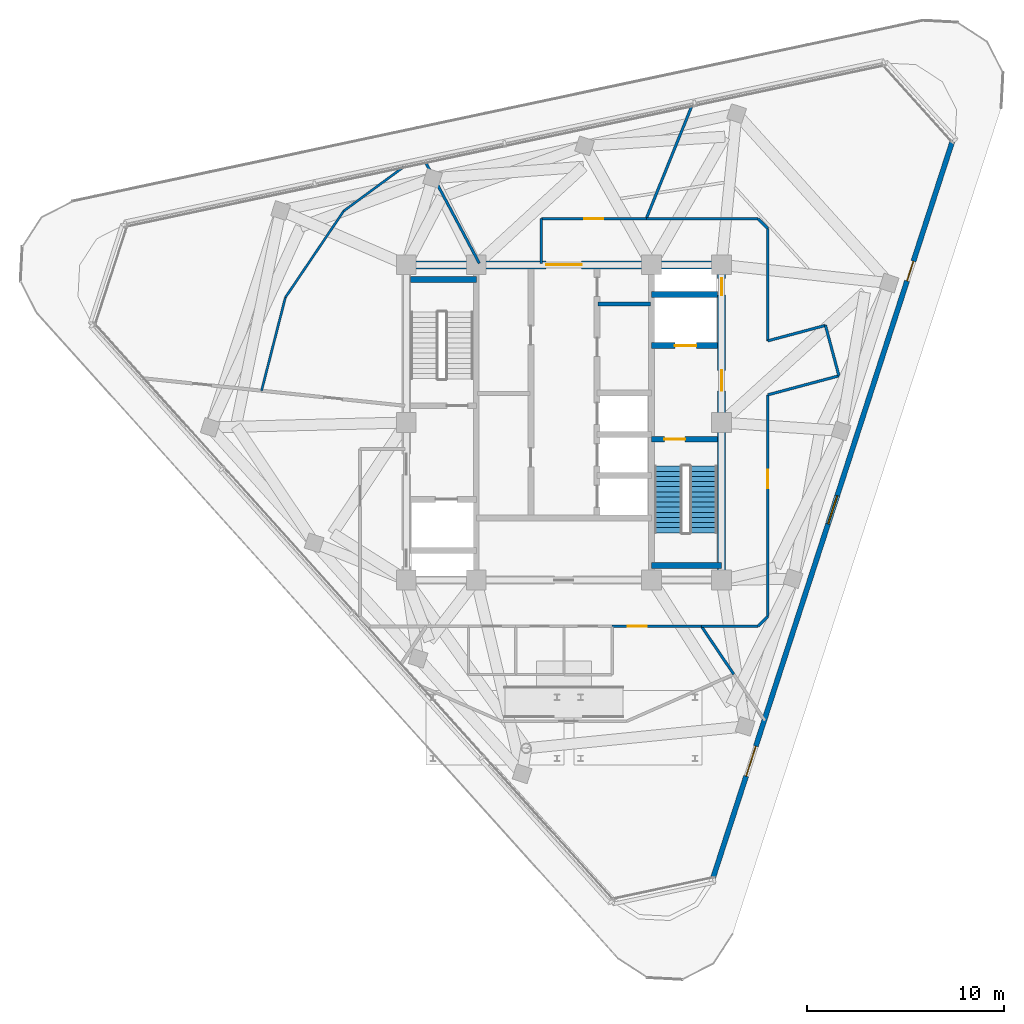
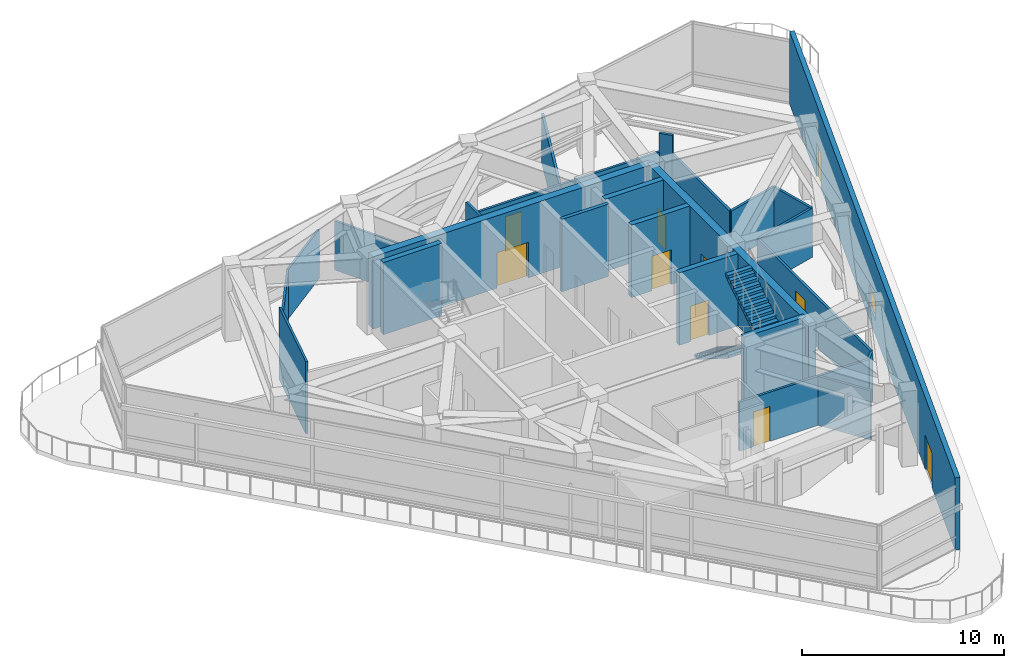
# One storey, part 10 of 15: 27 walls, 10 doors, 2 stair flights, 1 window, 11 openings, 1 element without a shape of its own.
"""IFC4 building model written with IfcOpenShell, lengths in metres."""

from ifc_helpers import new_model, si_unit, direction, frame, frame_2d, origin, place, context, subcontext, project, spatial, polyline, rectangle, outline, extrude, material, layer, layer_set, type_object, element, fill, aggregate, save


model = new_model("IFC4")

# Units and contexts
model_context = context("Model", 3, precision=1e-05, world=origin(), true_north=direction((0.0, 1.0)))
body_context = subcontext(model_context, "Body", "Model", "MODEL_VIEW")
ifc_project = project(units=[si_unit("LENGTHUNIT", "METRE"), si_unit("AREAUNIT", "SQUARE_METRE"), si_unit("VOLUMEUNIT", "CUBIC_METRE"), si_unit("PLANEANGLEUNIT", "RADIAN"), si_unit("MASSUNIT", "GRAM", prefix="KILO")], contexts=[model_context])

# Site, building, storey
site_placement = place(None, origin())
site = spatial("IfcSite", under=ifc_project, at=site_placement, CompositionType="ELEMENT")
building_placement = place(site_placement, origin())
building = spatial("IfcBuilding", under=site, at=building_placement, Name="Terralouvre Media Tower", CompositionType="ELEMENT")
storey_placement = place(building_placement, frame((0.0, 0.0, 312.800048828125)))
storey = spatial("IfcBuildingStorey", under=building, at=storey_placement, Name="L81", CompositionType="ELEMENT", Elevation=312.800048828125)

# Wall
ifc_material_1 = material(Name="Concrete C50/60", Category="concrete")
ifc_layer_1 = layer(ifc_material_1, 0.300048828125, Name="Core Internal Shaft Wall CW-300")
ifc_layer_set_1 = layer_set([ifc_layer_1], Name="Concrete C50/60")
wall_type_1 = type_object("IfcWallType", Name="Core Internal Shaft Wall CW-300", PredefinedType="SHEAR", material=ifc_layer_set_1)
wall_1_placement = place(storey_placement, frame((-7.7900390625, 7.260009765625, 0.0), z_axis=(0.0, 0.0, 1.0), x_axis=(1.0, 0.0, 0.0)))
element("IfcWall", 1, at=wall_1_placement, inside=storey, type_object=wall_type_1, Name="L81 Core Shaft Wall ST1F", PredefinedType="SHEAR", context=body_context, shape_type="SweptSolid", body=[
    extrude(rectangle(XDim=3.340087890625, YDim=0.300048828125, at=frame_2d((1.669921875, 0.0))), origin(), (0.0, 0.0, 1.0), 4.3798828125),
])

# Wall, opening, door
wall_2_placement = place(storey_placement, frame((4.449951171875, -0.85009765625, 0.0), z_axis=(0.0, 0.0, 1.0), x_axis=(1.0, 0.0, 0.0)))
wall_2 = element("IfcWall", 2, at=wall_2_placement, inside=storey, type_object=wall_type_1, Name="L81 Core Shaft Wall ST2D", PredefinedType="SHEAR", context=body_context, shape_type="SweptSolid", body=[
    extrude(rectangle(XDim=3.340087890625, YDim=0.300048828125, at=frame_2d((1.669921875, 0.0))), origin(), (0.0, 0.0, 1.0), 4.3798828125),
])
opening_1_placement = place(wall_2_placement, frame((0.64990234375, 0.0, 0.0)))
opening_1 = element("IfcOpeningElement", 3, at=opening_1_placement, cuts=wall_2, Name="Opening FD-01-105X215", PredefinedType="OPENING", context=body_context, shape_type="SweptSolid", body=[
    extrude(rectangle(XDim=1.050048828125, YDim=2.14990234375, at=frame_2d((0.52490234375, 1.074951171875))), frame((0.0, 0.159912109375, 0.0), z_axis=(0.0, -1.0, 0.0), x_axis=(1.0, 0.0, 0.0)), (0.0, 0.0, 1.0), 0.320068359375),
])
ifc_material_2 = material(Name="Galvanised steel fire-resisting leaf", Category="steel")
door_type_1 = type_object("IfcDoorType", Name="Stair and Firefighting Lobby Fire Door FD-01 (1050x2150)", OperationType="NOTDEFINED", PredefinedType="DOOR", material=ifc_material_2)
door_1_placement = place(opening_1_placement, origin())
door_1 = element("IfcDoor", 4, at=door_1_placement, inside=storey, type_object=door_type_1, Name="L81 ST-02 Exit Stair Door", OperationType="SINGLE_SWING_RIGHT", OverallHeight=2.14990234375, OverallWidth=1.050048828125, PredefinedType="DOOR", context=body_context, shape_type="SweptSolid", body=[
    extrude(rectangle(XDim=1.050048828125, YDim=2.14990234375, at=frame_2d((0.52490234375, 1.074951171875))), frame((0.0, 0.02490234375, 0.0), z_axis=(0.0, -1.0, 0.0), x_axis=(1.0, 0.0, 0.0)), (0.0, 0.0, 1.0), 0.050048828125),
])
fill(opening_1, door_1)

# Wall
wall_3_placement = place(storey_placement, frame((4.449951171875, -7.260009765625, 0.0), z_axis=(0.0, 0.0, 1.0), x_axis=(1.0, 0.0, 0.0)))
element("IfcWall", 5, at=wall_3_placement, inside=storey, type_object=wall_type_1, Name="L81 Core Shaft Wall ST2F", PredefinedType="SHEAR", context=body_context, shape_type="SweptSolid", body=[
    extrude(rectangle(XDim=3.550048828125, YDim=0.300048828125, at=frame_2d((1.77490234375, 0.0))), origin(), (0.0, 0.0, 1.0), 4.3798828125),
])

# Wall, opening, door
wall_4_placement = place(storey_placement, frame((4.449951171875, 3.89990234375, 0.0), z_axis=(0.0, 0.0, 1.0), x_axis=(1.0, 0.0, 0.0)))
wall_4 = element("IfcWall", 6, at=wall_4_placement, inside=storey, type_object=wall_type_1, Name="L81 Core Shaft Wall FF2S", PredefinedType="SHEAR", context=body_context, shape_type="SweptSolid", body=[
    extrude(rectangle(XDim=3.340087890625, YDim=0.300048828125, at=frame_2d((1.669921875, 0.0))), origin(), (0.0, 0.0, 1.0), 4.3798828125),
])
opening_2_placement = place(wall_4_placement, frame((1.179931640625, 0.0, 0.0)))
opening_2 = element("IfcOpeningElement", 7, at=opening_2_placement, cuts=wall_4, Name="Opening LD-FF", PredefinedType="OPENING", context=body_context, shape_type="SweptSolid", body=[
    extrude(rectangle(XDim=1.10009765625, YDim=2.10009765625, at=frame_2d((0.550048828125, 1.050048828125))), frame((0.0, 0.159912109375, 0.0), z_axis=(0.0, -1.0, 0.0), x_axis=(1.0, 0.0, 0.0)), (0.0, 0.0, 1.0), 0.320068359375),
])
ifc_material_3 = material(Name="Stainless steel 316 handrail and balustrade", Category="steel")
door_type_2 = type_object("IfcDoorType", Name="Firefighting Lift Sliding Landing Door LD-FF", OperationType="SLIDING_TO_LEFT", PredefinedType="DOOR", material=ifc_material_3)
door_2_placement = place(opening_2_placement, origin())
door_2 = element("IfcDoor", 8, at=door_2_placement, inside=storey, type_object=door_type_2, Name="L81 Firefighting Lift FFL-02 Landing Door", OperationType="SLIDING_TO_LEFT", OverallHeight=2.10009765625, OverallWidth=1.10009765625, PredefinedType="DOOR", context=body_context, shape_type="SweptSolid", body=[
    extrude(rectangle(XDim=1.10009765625, YDim=2.10009765625, at=frame_2d((0.550048828125, 1.050048828125))), frame((0.0, 0.02490234375, 0.0), z_axis=(0.0, -1.0, 0.0), x_axis=(1.0, 0.0, 0.0)), (0.0, 0.0, 1.0), 0.050048828125),
])
fill(opening_2, door_2)

# Wall
wall_5_placement = place(storey_placement, frame((4.449951171875, 6.5, 0.0), z_axis=(0.0, 0.0, 1.0), x_axis=(1.0, 0.0, 0.0)))
element("IfcWall", 9, at=wall_5_placement, inside=storey, type_object=wall_type_1, Name="L81 Core Shaft Wall FF2N", PredefinedType="SHEAR", context=body_context, shape_type="SweptSolid", body=[
    extrude(rectangle(XDim=3.340087890625, YDim=0.300048828125, at=frame_2d((1.669921875, 0.0))), origin(), (0.0, 0.0, 1.0), 4.3798828125),
])

# Wall, openings, doors
ifc_material_4 = material(Name="Concrete C60/75", Category="concrete")
ifc_layer_2 = layer(ifc_material_4, 0.419921875, Name="Core Reinforced Concrete Shear Wall CW-420")
ifc_layer_set_2 = layer_set([ifc_layer_2], Name="Concrete C60/75")
wall_type_2 = type_object("IfcWallType", Name="Core Reinforced Concrete Shear Wall CW-420", PredefinedType="SHEAR", material=ifc_layer_set_2)
wall_6_placement = place(storey_placement, frame((8.0, -8.0, 0.0), z_axis=(0.0, 0.0, 1.0), x_axis=(0.0, 1.0, 0.0)))
wall_6 = element("IfcWall", 10, at=wall_6_placement, inside=storey, type_object=wall_type_2, Name="L81 E Core Shear Wall", PredefinedType="SHEAR", context=body_context, shape_type="SweptSolid", body=[
    extrude(rectangle(XDim=16.0, YDim=0.419921875, at=frame_2d((8.0, 0.0))), origin(), (0.0, 0.0, 1.0), 4.3798828125),
])
opening_3_placement = place(wall_6_placement, frame((9.60009765625, 0.0, 0.0)))
opening_3 = element("IfcOpeningElement", 11, at=opening_3_placement, cuts=wall_6, Name="Opening FD-01-105X215", PredefinedType="OPENING", context=body_context, shape_type="SweptSolid", body=[
    extrude(rectangle(XDim=1.050048828125, YDim=2.14990234375, at=frame_2d((0.52490234375, 1.074951171875))), frame((0.0, 0.219970703125, 0.0), z_axis=(0.0, -1.0, 0.0), x_axis=(1.0, 0.0, 0.0)), (0.0, 0.0, 1.0), 0.43994140625),
])
opening_4_placement = place(wall_6_placement, frame((14.468994140625, 0.0, 0.0)))
opening_4 = element("IfcOpeningElement", 12, at=opening_4_placement, cuts=wall_6, Name="Opening TD-R1", PredefinedType="OPENING", context=body_context, shape_type="SweptSolid", body=[
    extrude(rectangle(XDim=0.85009765625, YDim=2.02001953125, at=frame_2d((0.425048828125, 1.010009765625))), frame((0.0, 0.219970703125, 0.0), z_axis=(0.0, -1.0, 0.0), x_axis=(1.0, 0.0, 0.0)), (0.0, 0.0, 1.0), 0.43994140625),
])
ifc_material_5 = material(Name="Galvanised steel fire-resisting leaf", Category="steel")
door_type_3 = type_object("IfcDoorType", Name="Riser Inspection Access Trapdoor TD-R1", OperationType="NOTDEFINED", PredefinedType="TRAPDOOR", material=ifc_material_5)
door_3_placement = place(opening_4_placement, origin())
door_3 = element("IfcDoor", 13, at=door_3_placement, inside=storey, type_object=door_type_3, Name="L81 East Comms Riser Access Trapdoor", OperationType="SINGLE_SWING_RIGHT", OverallHeight=2.02001953125, OverallWidth=0.85009765625, PredefinedType="TRAPDOOR", context=body_context, shape_type="SweptSolid", body=[
    extrude(rectangle(XDim=0.85009765625, YDim=2.02001953125, at=frame_2d((0.425048828125, 1.010009765625))), frame((0.0, 0.02490234375, 0.0), z_axis=(0.0, -1.0, 0.0), x_axis=(1.0, 0.0, 0.0)), (0.0, 0.0, 1.0), 0.050048828125),
])
fill(opening_4, door_3)
door_4_placement = place(opening_3_placement, origin())
door_4 = element("IfcDoor", 14, at=door_4_placement, inside=storey, type_object=door_type_1, Name="L81 East Firefighting Lobby Entry Door", OperationType="SINGLE_SWING_LEFT", OverallHeight=2.14990234375, OverallWidth=1.050048828125, PredefinedType="DOOR", context=body_context, shape_type="SweptSolid", body=[
    extrude(rectangle(XDim=1.050048828125, YDim=2.14990234375, at=frame_2d((0.52490234375, 1.074951171875))), frame((0.0, 0.02490234375, 0.0), z_axis=(0.0, -1.0, 0.0), x_axis=(1.0, 0.0, 0.0)), (0.0, 0.0, 1.0), 0.050048828125),
])
fill(opening_3, door_4)

# Wall, opening, door
wall_7_placement = place(storey_placement, frame((-8.0, 8.0, 0.0), z_axis=(0.0, 0.0, 1.0), x_axis=(1.0, 0.0, 0.0)))
wall_7 = element("IfcWall", 15, at=wall_7_placement, inside=storey, type_object=wall_type_2, Name="L81 N Core Shear Wall", PredefinedType="SHEAR", context=body_context, shape_type="SweptSolid", body=[
    extrude(rectangle(XDim=16.0, YDim=0.419921875, at=frame_2d((8.0, 0.0))), origin(), (0.0, 0.0, 1.0), 4.3798828125),
])
opening_5_placement = place(wall_7_placement, frame((7.10009765625, 0.0, 0.0)))
opening_5 = element("IfcOpeningElement", 16, at=opening_5_placement, cuts=wall_7, Name="Opening FD-03", PredefinedType="OPENING", context=body_context, shape_type="SweptSolid", body=[
    extrude(rectangle(XDim=1.800048828125, YDim=2.14990234375, at=frame_2d((0.89990234375, 1.074951171875))), frame((0.0, 0.219970703125, 0.0), z_axis=(0.0, -1.0, 0.0), x_axis=(1.0, 0.0, 0.0)), (0.0, 0.0, 1.0), 0.43994140625),
])
ifc_material_6 = material(Name="Galvanised steel fire-resisting leaf", Category="steel")
door_type_4 = type_object("IfcDoorType", Name="Corridor Smoke-Control Double Door FD-03", OperationType="DOUBLE_DOOR_SINGLE_SWING", PredefinedType="DOOR", material=ifc_material_6)
door_5_placement = place(opening_5_placement, origin())
door_5 = element("IfcDoor", 17, at=door_5_placement, inside=storey, type_object=door_type_4, Name="L81 Central Lift Lobby Portal Door", OperationType="DOUBLE_DOOR_SINGLE_SWING", OverallHeight=2.14990234375, OverallWidth=1.800048828125, PredefinedType="DOOR", context=body_context, shape_type="SweptSolid", body=[
    extrude(rectangle(XDim=1.800048828125, YDim=2.14990234375, at=frame_2d((0.89990234375, 1.074951171875))), frame((0.0, 0.02490234375, 0.0), z_axis=(0.0, -1.0, 0.0), x_axis=(1.0, 0.0, 0.0)), (0.0, 0.0, 1.0), 0.050048828125),
])
fill(opening_5, door_5)

# Walls
ifc_material_7 = material(Name="Fire-rated gypsum board drywall partition")
ifc_layer_3 = layer(ifc_material_7, 0.199951171875, Name="Fire-Rated Shaft and Lobby Partition FW-200")
ifc_layer_set_3 = layer_set([ifc_layer_3], Name="Fire-rated gypsum board drywall partition")
wall_type_3 = type_object("IfcWallType", Name="Fire-Rated Shaft and Lobby Partition FW-200", PredefinedType="SOLIDWALL", material=ifc_layer_set_3)
wall_8_placement = place(storey_placement, frame((1.719970703125, 6.010009765625, 0.0), z_axis=(0.0, 0.0, 1.0), x_axis=(1.0, 0.0, 0.0)))
element("IfcWall", 18, at=wall_8_placement, inside=storey, type_object=wall_type_3, Name="L81 Core East Sub-Partition 1", PredefinedType="SOLIDWALL", context=body_context, shape_type="SweptSolid", body=[
    extrude(rectangle(XDim=2.679931640625, YDim=0.199951171875, at=frame_2d((1.33984375, 0.0))), origin(), (0.0, 0.0, 1.0), 4.3798828125),
])
ifc_material_8 = material(Name="Fire-rated gypsum board drywall partition")
ifc_layer_4 = layer(ifc_material_8, 0.135009765625, Name="Newsroom Acoustic Partition PT-135")
ifc_layer_set_4 = layer_set([ifc_layer_4], Name="Fire-rated gypsum board drywall partition")
wall_type_4 = type_object("IfcWallType", Name="Newsroom Acoustic Partition PT-135", PredefinedType="PARTITIONING", material=ifc_layer_set_4)
wall_9_placement = place(storey_placement, frame((6.98095703125, -10.35009765625, 0.0), z_axis=(0.0, 0.0, 1.0), x_axis=(1.0, 0.0, 0.0)))
element("IfcWall", 19, at=wall_9_placement, inside=storey, type_object=wall_type_4, Name="L81 Interior Partition 001", PredefinedType="PARTITIONING", context=body_context, shape_type="SweptSolid", body=[
    extrude(rectangle(XDim=2.869140625, YDim=0.135009765625, at=frame_2d((1.4345703125, 0.0))), origin(), (0.0, 0.0, 1.0), 2.96484375),
])
wall_10_placement = place(storey_placement, frame((9.85009765625, -10.35009765625, 0.0), z_axis=(0.0, 0.0, 1.0), x_axis=(0.707106781187, 0.707106781187, 0.0)))
element("IfcWall", 20, at=wall_10_placement, inside=storey, type_object=wall_type_4, Name="L81 Interior Partition 002", PredefinedType="PARTITIONING", context=body_context, shape_type="SweptSolid", body=[
    extrude(rectangle(XDim=0.70703125, YDim=0.135009765625, at=frame_2d((0.353515625, 0.0))), origin(), (0.0, 0.0, 1.0), 2.96484375),
])

# Wall, opening, door
wall_11_placement = place(storey_placement, frame((10.35009765625, -9.85009765625, 0.0), z_axis=(0.0, 0.0, 1.0), x_axis=(0.0, 1.0, 0.0)))
wall_11 = element("IfcWall", 21, at=wall_11_placement, inside=storey, type_object=wall_type_4, Name="L81 Interior Partition 003", PredefinedType="PARTITIONING", context=body_context, shape_type="SweptSolid", body=[
    extrude(rectangle(XDim=11.252197265625, YDim=0.135009765625, at=frame_2d((5.6259765625, 0.0))), origin(), (0.0, 0.0, 1.0), 2.96484375),
])
opening_6_placement = place(wall_11_placement, frame((6.501220703125, 0.0, 0.0)))
opening_6 = element("IfcOpeningElement", 22, at=opening_6_placement, cuts=wall_11, Name="Opening ID-02-95X210", PredefinedType="OPENING", context=body_context, shape_type="SweptSolid", body=[
    extrude(rectangle(XDim=0.949951171875, YDim=2.10009765625, at=frame_2d((0.47509765625, 1.050048828125))), frame((0.0, 0.077392578125, 0.0), z_axis=(0.0, -1.0, 0.0), x_axis=(1.0, 0.0, 0.0)), (0.0, 0.0, 1.0), 0.155029296875),
])
ifc_material_9 = material(Name="Engineered hardwood acoustic timber leaf", Category="wood")
door_type_5 = type_object("IfcDoorType", Name="Office and Meeting Room Door ID-02 (950x2100)", OperationType="NOTDEFINED", PredefinedType="DOOR", material=ifc_material_9)
door_6_placement = place(opening_6_placement, origin())
door_6 = element("IfcDoor", 23, at=door_6_placement, inside=storey, type_object=door_type_5, Name="L81 Horticultural Propagator Store 1 Door", OperationType="SINGLE_SWING_RIGHT", OverallHeight=2.10009765625, OverallWidth=0.949951171875, PredefinedType="DOOR", context=body_context, shape_type="SweptSolid", body=[
    extrude(rectangle(XDim=0.949951171875, YDim=2.10009765625, at=frame_2d((0.47509765625, 1.050048828125))), frame((0.0, 0.02490234375, 0.0), z_axis=(0.0, -1.0, 0.0), x_axis=(1.0, 0.0, 0.0)), (0.0, 0.0, 1.0), 0.050048828125),
])
fill(opening_6, door_6)

# Walls
wall_12_placement = place(storey_placement, frame((10.35009765625, 1.402099609375, 0.0), z_axis=(0.0, 0.0, 1.0), x_axis=(0.965991749832, 0.25857288964, 0.0)))
element("IfcWall", 24, at=wall_12_placement, inside=storey, type_object=wall_type_4, Name="L81 Interior Partition 004", PredefinedType="PARTITIONING", context=body_context, shape_type="SweptSolid", body=[
    extrude(rectangle(XDim=3.739013671875, YDim=0.135009765625, at=frame_2d((1.86962890625, 0.0))), origin(), (0.0, 0.0, 1.0), 2.96484375),
])
wall_13_placement = place(storey_placement, frame((13.9619140625, 2.368896484375, 0.0), z_axis=(0.0, 0.0, 1.0), x_axis=(-0.258413725385, 0.966034340245, 0.0)))
element("IfcWall", 25, at=wall_13_placement, inside=storey, type_object=wall_type_4, Name="L81 Interior Partition 005", PredefinedType="PARTITIONING", context=body_context, shape_type="SweptSolid", body=[
    extrude(rectangle(XDim=2.650146484375, YDim=0.135009765625, at=frame_2d((1.3251953125, 0.0))), origin(), (0.0, 0.0, 1.0), 2.96484375),
])
wall_14_placement = place(storey_placement, frame((13.277099609375, 4.928955078125, 0.0), z_axis=(0.0, 0.0, 1.0), x_axis=(-0.965954883204, -0.258710578861, 0.0)))
element("IfcWall", 26, at=wall_14_placement, inside=storey, type_object=wall_type_4, Name="L81 Interior Partition 006", PredefinedType="PARTITIONING", context=body_context, shape_type="SweptSolid", body=[
    extrude(rectangle(XDim=3.0302734375, YDim=0.135009765625, at=frame_2d((1.51513671875, 0.0))), origin(), (0.0, 0.0, 1.0), 2.96484375),
])
wall_15_placement = place(storey_placement, frame((10.35009765625, 4.14501953125, 0.0), z_axis=(0.0, 0.0, 1.0), x_axis=(0.0, 1.0, 0.0)))
element("IfcWall", 27, at=wall_15_placement, inside=storey, type_object=wall_type_4, Name="L81 Interior Partition 007", PredefinedType="PARTITIONING", context=body_context, shape_type="SweptSolid", body=[
    extrude(rectangle(XDim=5.705078125, YDim=0.135009765625, at=frame_2d((2.8525390625, 0.0))), origin(), (0.0, 0.0, 1.0), 2.96484375),
])
wall_16_placement = place(storey_placement, frame((10.35009765625, 9.85009765625, 0.0), z_axis=(0.0, 0.0, 1.0), x_axis=(-0.707106781187, 0.707106781187, 0.0)))
element("IfcWall", 28, at=wall_16_placement, inside=storey, type_object=wall_type_4, Name="L81 Interior Partition 008", PredefinedType="PARTITIONING", context=body_context, shape_type="SweptSolid", body=[
    extrude(rectangle(XDim=0.70703125, YDim=0.135009765625, at=frame_2d((0.353515625, 0.0))), origin(), (0.0, 0.0, 1.0), 4.094970703125),
])
wall_17_placement = place(storey_placement, frame((9.85009765625, 10.35009765625, 0.0), z_axis=(0.0, 0.0, 1.0), x_axis=(-1.0, 0.0, 0.0)))
element("IfcWall", 29, at=wall_17_placement, inside=storey, type_object=wall_type_4, Name="L81 Interior Partition 009", PredefinedType="PARTITIONING", context=body_context, shape_type="SweptSolid", body=[
    extrude(rectangle(XDim=5.668212890625, YDim=0.135009765625, at=frame_2d((2.833984375, 0.0))), origin(), (0.0, 0.0, 1.0), 2.96484375),
])

# Wall, opening, door
wall_18_placement = place(storey_placement, frame((2.449951171875, -10.35009765625, 0.0), z_axis=(0.0, 0.0, 1.0), x_axis=(1.0, 0.0, 0.0)))
wall_18 = element("IfcWall", 30, at=wall_18_placement, inside=storey, type_object=wall_type_4, Name="L81 Interior Partition 017", PredefinedType="PARTITIONING", context=body_context, shape_type="SweptSolid", body=[
    extrude(rectangle(XDim=4.531005859375, YDim=0.135009765625, at=frame_2d((2.265625, 0.0))), origin(), (0.0, 0.0, 1.0), 2.96484375),
])
opening_7_placement = place(wall_18_placement, frame((0.793701171875, 0.0, 0.0)))
opening_7 = element("IfcOpeningElement", 31, at=opening_7_placement, cuts=wall_18, Name="Opening ID-02-95X210", PredefinedType="OPENING", context=body_context, shape_type="SweptSolid", body=[
    extrude(rectangle(XDim=0.949951171875, YDim=2.10009765625, at=frame_2d((0.47509765625, 1.050048828125))), frame((0.0, 0.077392578125, 0.0), z_axis=(0.0, -1.0, 0.0), x_axis=(1.0, 0.0, 0.0)), (0.0, 0.0, 1.0), 0.155029296875),
])
door_7_placement = place(opening_7_placement, origin())
door_7 = element("IfcDoor", 32, at=door_7_placement, inside=storey, type_object=door_type_5, Name="L81 High-Altitude Meteorology Study 3 Door", OperationType="SINGLE_SWING_RIGHT", OverallHeight=2.10009765625, OverallWidth=0.949951171875, PredefinedType="DOOR", context=body_context, shape_type="SweptSolid", body=[
    extrude(rectangle(XDim=0.949951171875, YDim=2.10009765625, at=frame_2d((0.47509765625, 1.050048828125))), frame((0.0, 0.02490234375, 0.0), z_axis=(0.0, -1.0, 0.0), x_axis=(1.0, 0.0, 0.0)), (0.0, 0.0, 1.0), 0.050048828125),
])
fill(opening_7, door_7)

wall_19_placement = place(storey_placement, frame((4.181884765625, 10.35009765625, 0.0), z_axis=(0.0, 0.0, 1.0), x_axis=(-1.0, 0.0, 0.0)))
wall_19 = element("IfcWall", 33, at=wall_19_placement, inside=storey, type_object=wall_type_4, Name="L81 Interior Partition 019", PredefinedType="PARTITIONING", context=body_context, shape_type="SweptSolid", body=[
    extrude(rectangle(XDim=5.331787109375, YDim=0.135009765625, at=frame_2d((2.666015625, 0.0))), origin(), (0.0, 0.0, 1.0), 2.96484375),
])
opening_8_placement = place(wall_19_placement, frame((2.19091796875, 0.0, 0.0)))
opening_8 = element("IfcOpeningElement", 34, at=opening_8_placement, cuts=wall_19, Name="Opening ID-02-95X210", PredefinedType="OPENING", context=body_context, shape_type="SweptSolid", body=[
    extrude(rectangle(XDim=0.949951171875, YDim=2.10009765625, at=frame_2d((0.47509765625, 1.050048828125))), frame((0.0, 0.077392578125, 0.0), z_axis=(0.0, -1.0, 0.0), x_axis=(1.0, 0.0, 0.0)), (0.0, 0.0, 1.0), 0.155029296875),
])
door_8_placement = place(opening_8_placement, origin())
door_8 = element("IfcDoor", 35, at=door_8_placement, inside=storey, type_object=door_type_5, Name="L81 360-Degree Horizon Observation Lounge 5 Door", OperationType="SINGLE_SWING_RIGHT", OverallHeight=2.10009765625, OverallWidth=0.949951171875, PredefinedType="DOOR", context=body_context, shape_type="SweptSolid", body=[
    extrude(rectangle(XDim=0.949951171875, YDim=2.10009765625, at=frame_2d((0.47509765625, 1.050048828125))), frame((0.0, 0.02490234375, 0.0), z_axis=(0.0, -1.0, 0.0), x_axis=(1.0, 0.0, 0.0)), (0.0, 0.0, 1.0), 0.050048828125),
])
fill(opening_8, door_8)

# Walls
wall_20_placement = place(storey_placement, frame((-1.14990234375, 10.35009765625, 0.0), z_axis=(0.0, 0.0, 1.0), x_axis=(0.0, -1.0, 0.0)))
element("IfcWall", 36, at=wall_20_placement, inside=storey, type_object=wall_type_4, Name="L81 Interior Partition 020", PredefinedType="PARTITIONING", context=body_context, shape_type="SweptSolid", body=[
    extrude(rectangle(XDim=2.27001953125, YDim=0.135009765625, at=frame_2d((1.135009765625, 0.0))), origin(), (0.0, 0.0, 1.0), 3.764892578125),
])
wall_21_placement = place(storey_placement, frame((6.98095703125, -10.35009765625, 0.0), z_axis=(0.0, 0.0, 1.0), x_axis=(0.559297178997, -0.828967228282, 0.0)))
element("IfcWall", 37, at=wall_21_placement, inside=storey, type_object=wall_type_4, Name="L81 Interior Partition 021", PredefinedType="PARTITIONING", context=body_context, shape_type="SweptSolid", body=[
    extrude(rectangle(XDim=2.93603515625, YDim=0.135009765625, at=frame_2d((1.468017578125, 0.0))), origin(), (0.0, 0.0, 1.0), 2.96484375),
])
wall_22_placement = place(storey_placement, frame((6.5, 16.08837890625, 0.0), z_axis=(0.0, 0.0, 1.0), x_axis=(-0.374564798487, -0.927200739719, 0.0)))
element("IfcWall", 38, at=wall_22_placement, inside=storey, type_object=wall_type_4, Name="L81 Interior Partition 023", PredefinedType="PARTITIONING", context=body_context, shape_type="SweptSolid", body=[
    extrude(rectangle(XDim=6.188720703125, YDim=0.135009765625, at=frame_2d((3.09423828125, 0.0))), origin(), (0.0, 0.0, 1.0), 2.96484375),
])
wall_23_placement = place(storey_placement, frame((-7.025390625, 13.21337890625, 0.0), z_axis=(0.0, 0.0, 1.0), x_axis=(0.469480647091, -0.882942762588, 0.0)))
element("IfcWall", 39, at=wall_23_placement, inside=storey, type_object=wall_type_4, Name="L81 Interior Partition 037", PredefinedType="PARTITIONING", context=body_context, shape_type="SweptSolid", body=[
    extrude(rectangle(XDim=5.81396484375, YDim=0.135009765625, at=frame_2d((2.906982421875, 0.0))), origin(), (0.0, 0.0, 1.0), 2.96484375),
])

# Wall, openings, window, doors
ifc_material_10 = material(Name="Kiln-fired architectural terracotta rainscreen cladding", Category="masonry")
ifc_layer_5 = layer(ifc_material_10, 0.260009765625, Name="Recessed Sky-Garden Acoustic Wall EW-SG260")
ifc_layer_set_5 = layer_set([ifc_layer_5], Name="Kiln-fired architectural terracotta rainscreen cladding")
wall_type_5 = type_object("IfcWallType", Name="Recessed Sky-Garden Acoustic Wall EW-SG260", PredefinedType="SOLIDWALL", material=ifc_layer_set_5)
wall_24_placement = place(storey_placement, frame((7.54931640625, -23.187744140625, 0.0), z_axis=(0.0, 0.0, 1.0), x_axis=(0.309020705392, 0.951055310505, 0.0)))
wall_24 = element("IfcWall", 40, at=wall_24_placement, inside=storey, type_object=wall_type_5, Name="L81 Conservatory Terrace Access Wall", PredefinedType="SOLIDWALL", context=body_context, shape_type="SweptSolid", body=[
    extrude(rectangle(XDim=39.43994140625, YDim=0.260009765625, at=frame_2d((19.719970703125, 0.0))), origin(), (0.0, 0.0, 1.0), 4.3798828125),
])
opening_9_placement = place(wall_24_placement, frame((5.5, 0.0, 0.0)))
opening_9 = element("IfcOpeningElement", 41, at=opening_9_placement, cuts=wall_24, Name="Opening TD-01-160X210", PredefinedType="OPENING", context=body_context, shape_type="SweptSolid", body=[
    extrude(rectangle(XDim=1.60009765625, YDim=2.10009765625, at=frame_2d((0.800048828125, 1.050048828125))), frame((0.0, 0.139892578125, 0.0), z_axis=(0.0, -1.0, 0.0), x_axis=(1.0, 0.0, 0.0)), (0.0, 0.0, 1.0), 0.280029296875),
])
opening_10_placement = place(wall_24_placement, frame((31.93994140625, 0.0, 0.0)))
opening_10 = element("IfcOpeningElement", 42, at=opening_10_placement, cuts=wall_24, Name="Opening TD-02", PredefinedType="OPENING", context=body_context, shape_type="SweptSolid", body=[
    extrude(rectangle(XDim=1.050048828125, YDim=2.080078125, at=frame_2d((0.52490234375, 1.0400390625))), frame((0.0, 0.139892578125, 0.0), z_axis=(0.0, -1.0, 0.0), x_axis=(1.0, 0.0, 0.0)), (0.0, 0.0, 1.0), 0.280029296875),
])
opening_11_placement = place(wall_24_placement, frame((18.969970703125, 0.0, 0.89990234375)))
opening_11 = element("IfcOpeningElement", 43, at=opening_11_placement, cuts=wall_24, Name="Opening W-05", PredefinedType="OPENING", context=body_context, shape_type="SweptSolid", body=[
    extrude(rectangle(XDim=1.5, YDim=1.199951171875, at=frame_2d((0.75, 0.60009765625))), frame((0.0, 0.139892578125, 0.0), z_axis=(0.0, -1.0, 0.0), x_axis=(1.0, 0.0, 0.0)), (0.0, 0.0, 1.0), 0.280029296875),
])
ifc_material_11 = material(Name="Low-iron laminated double glazing with solar-control coating", Category="glass")
window_type = type_object("IfcWindowType", Name="Conservatory Clerestory Window W-05", PartitioningType="SINGLE_PANEL", PredefinedType="WINDOW", material=ifc_material_11)
window_placement = place(opening_11_placement, origin())
window = element("IfcWindow", 44, at=window_placement, inside=storey, type_object=window_type, Name="L81 Conservatory Clerestory Window", OverallHeight=1.199951171875, OverallWidth=1.5, PartitioningType="SINGLE_PANEL", PredefinedType="WINDOW", context=body_context, shape_type="SweptSolid", body=[
    extrude(rectangle(XDim=1.5, YDim=1.199951171875, at=frame_2d((0.75, 0.60009765625))), frame((0.0, 0.030029296875, 0.0), z_axis=(0.0, -1.0, 0.0), x_axis=(1.0, 0.0, 0.0)), (0.0, 0.0, 1.0), 0.06005859375),
])
fill(opening_11, window)
ifc_material_12 = material(Name="Anodised extruded aluminium 6063-T6", Category="aluminium")
door_type_6 = type_object("IfcDoorType", Name="Garden Terrace Single Door TD-02", OperationType="NOTDEFINED", PredefinedType="DOOR", material=ifc_material_12)
door_9_placement = place(opening_10_placement, frame((1.050048828125, 0.0, 0.0), z_axis=(0.0, 0.0, 1.0), x_axis=(-1.0, 0.0, 0.0)))
door_9 = element("IfcDoor", 45, at=door_9_placement, inside=storey, type_object=door_type_6, Name="L81 Crown Roof Garden Single Door", OperationType="SINGLE_SWING_LEFT", OverallHeight=2.080078125, OverallWidth=1.050048828125, PredefinedType="DOOR", context=body_context, shape_type="SweptSolid", body=[
    extrude(rectangle(XDim=1.050048828125, YDim=2.080078125, at=frame_2d((0.52490234375, 1.0400390625))), frame((0.0, 0.02490234375, 0.0), z_axis=(0.0, -1.0, 0.0), x_axis=(1.0, 0.0, 0.0)), (0.0, 0.0, 1.0), 0.050048828125),
])
fill(opening_10, door_9)
ifc_material_13 = material(Name="Anodised extruded aluminium 6063-T6", Category="aluminium")
door_type_7 = type_object("IfcDoorType", Name="Sky-Garden Terrace Double Door TD-01 (1600x2100)", OperationType="DOUBLE_DOOR_SLIDING", PredefinedType="DOOR", material=ifc_material_13)
door_10_placement = place(opening_9_placement, frame((1.60009765625, 0.0, 0.0), z_axis=(0.0, 0.0, 1.0), x_axis=(-1.0, 0.0, 0.0)))
door_10 = element("IfcDoor", 46, at=door_10_placement, inside=storey, type_object=door_type_7, Name="L81 Crown Roof Garden Double Door", OperationType="DOUBLE_DOOR_SLIDING", OverallHeight=2.10009765625, OverallWidth=1.60009765625, PredefinedType="DOOR", context=body_context, shape_type="SweptSolid", body=[
    extrude(rectangle(XDim=1.60009765625, YDim=2.10009765625, at=frame_2d((0.800048828125, 1.050048828125))), frame((0.0, 0.02490234375, 0.0), z_axis=(0.0, -1.0, 0.0), x_axis=(1.0, 0.0, 0.0)), (0.0, 0.0, 1.0), 0.050048828125),
])
fill(opening_9, door_10)

# Walls
ifc_material_14 = material(Name="Fire-rated gypsum board drywall partition")
ifc_layer_6 = layer(ifc_material_14, 0.114990234375, Name="Restroom and Pantry Partition PT-115")
ifc_layer_set_6 = layer_set([ifc_layer_6], Name="Fire-rated gypsum board drywall partition")
wall_type_6 = type_object("IfcWallType", Name="Restroom and Pantry Partition PT-115", PredefinedType="PARTITIONING", material=ifc_layer_set_6)
wall_25_placement = place(storey_placement, frame((-8.12939453125, 12.978759765625, 0.0), z_axis=(0.0, 0.0, 1.0), x_axis=(-0.805664584516, -0.592371992296, 0.0)))
element("IfcWall", 47, at=wall_25_placement, inside=storey, type_object=wall_type_6, Name="L81 Interior Partition 038", PredefinedType="PARTITIONING", context=body_context, shape_type="SweptSolid", body=[
    extrude(rectangle(XDim=3.78759765625, YDim=0.114990234375, at=frame_2d((1.893798828125, 0.0))), origin(), (0.0, 0.0, 1.0), 2.96484375),
])
wall_26_placement = place(storey_placement, frame((-11.180908203125, 10.735107421875, 0.0), z_axis=(0.0, 0.0, 1.0), x_axis=(-0.559278021867, -0.828980153114, 0.0)))
element("IfcWall", 48, at=wall_26_placement, inside=storey, type_object=wall_type_6, Name="L81 Interior Partition 039", PredefinedType="PARTITIONING", context=body_context, shape_type="SweptSolid", body=[
    extrude(rectangle(XDim=5.294677734375, YDim=0.114990234375, at=frame_2d((2.6474609375, 0.0))), origin(), (0.0, 0.0, 1.0), 2.96484375),
])
wall_27_placement = place(storey_placement, frame((-14.14208984375, 6.345947265625, 0.0), z_axis=(0.0, 0.0, 1.0), x_axis=(-0.247495053411, -0.968889156992, 0.0)))
element("IfcWall", 49, at=wall_27_placement, inside=storey, type_object=wall_type_6, Name="L81 Interior Partition 040", PredefinedType="PARTITIONING", context=body_context, shape_type="SweptSolid", body=[
    extrude(rectangle(XDim=4.884765625, YDim=0.114990234375, at=frame_2d((2.4423828125, 0.0))), origin(), (0.0, 0.0, 1.0), 4.3798828125),
])

# Stair, stair flights
ifc_material_15 = material(Name="Concrete C45/55", Category="concrete")
stair_type = type_object("IfcStairType", Name="Dogleg Stair Assembly ST-02", PredefinedType="HALF_TURN_STAIR", material=ifc_material_15)
stair_placement = place(storey_placement, origin())
stair = element("IfcStair", 50, at=stair_placement, inside=storey, type_object=stair_type, Name="L81 Core Pressurised Exit Stair ST-02", PredefinedType="HALF_TURN_STAIR")
ifc_material_16 = material(Name="Concrete C45/55", Category="concrete")
stair_flight_type = type_object("IfcStairFlightType", Name="Reinforced Concrete Stair Flight SF-RC1", PredefinedType="STRAIGHT", material=ifc_material_16)
stair_flight_1_placement = place(storey_placement, frame((5.300048828125, -2.219970703125, 0.0), z_axis=(0.0, 0.0, 1.0), x_axis=(0.0, -1.0, 0.0)))
stair_flight_1 = element("IfcStairFlight", 51, at=stair_flight_1_placement, type_object=stair_flight_type, Name="ST-02 flight 1", NumberOfRisers=14, NumberOfTreads=13, PredefinedType="STRAIGHT", RiserHeight=0.164285714, TreadLength=0.26, context=body_context, shape_type="SweptSolid", body=[
    extrude(outline(polyline([(0.0, 0.0), (0.0, 0.164306640625), (0.260009765625, 0.164306640625), (0.260009765625, 0.32861328125), (0.52001953125, 0.32861328125), (0.52001953125, 0.492919921875), (0.780029296875, 0.492919921875), (0.780029296875, 0.6572265625), (1.0400390625, 0.6572265625), (1.0400390625, 0.821533203125), (1.300048828125, 0.821533203125), (1.300048828125, 0.985595703125), (1.56005859375, 0.985595703125), (1.56005859375, 1.14990234375), (1.820068359375, 1.14990234375), (1.820068359375, 1.314208984375), (2.080078125, 1.314208984375), (2.080078125, 1.478515625), (2.340087890625, 1.478515625), (2.340087890625, 1.642822265625), (2.60009765625, 1.642822265625), (2.60009765625, 1.80712890625), (2.860107421875, 1.80712890625), (2.860107421875, 1.971435546875), (3.1201171875, 1.971435546875), (3.1201171875, 2.1357421875), (3.3798828125, 2.1357421875), (3.3798828125, 2.300048828125), (3.3798828125, 1.95849609375), (0.280517578125, 0.0), (0.0, 0.0)])), frame((0.0, 0.699951171875, 0.0), z_axis=(0.0, -1.0, 0.0), x_axis=(1.0, 0.0, 0.0)), (0.0, 0.0, 1.0), 1.39990234375),
])
stair_flight_2_placement = place(storey_placement, frame((7.080078125, -5.60009765625, 2.300048828125), z_axis=(0.0, 0.0, 1.0), x_axis=(0.0, 1.0, 0.0)))
stair_flight_2 = element("IfcStairFlight", 52, at=stair_flight_2_placement, type_object=stair_flight_type, Name="ST-02 flight 2", NumberOfRisers=14, NumberOfTreads=13, PredefinedType="STRAIGHT", RiserHeight=0.164285714, TreadLength=0.26, context=body_context, shape_type="SweptSolid", body=[
    extrude(outline(polyline([(0.0, 0.0), (0.0, 0.164306640625), (0.260009765625, 0.164306640625), (0.260009765625, 0.32861328125), (0.52001953125, 0.32861328125), (0.52001953125, 0.492919921875), (0.780029296875, 0.492919921875), (0.780029296875, 0.6572265625), (1.0400390625, 0.6572265625), (1.0400390625, 0.821533203125), (1.300048828125, 0.821533203125), (1.300048828125, 0.985595703125), (1.56005859375, 0.985595703125), (1.56005859375, 1.14990234375), (1.820068359375, 1.14990234375), (1.820068359375, 1.314208984375), (2.080078125, 1.314208984375), (2.080078125, 1.478515625), (2.340087890625, 1.478515625), (2.340087890625, 1.642822265625), (2.60009765625, 1.642822265625), (2.60009765625, 1.80712890625), (2.860107421875, 1.80712890625), (2.860107421875, 1.971435546875), (3.1201171875, 1.971435546875), (3.1201171875, 2.1357421875), (3.3798828125, 2.1357421875), (3.3798828125, 2.300048828125), (3.3798828125, 1.95849609375), (0.280517578125, 0.0), (0.0, 0.0)])), frame((0.0, 0.699951171875, 0.0), z_axis=(0.0, -1.0, 0.0), x_axis=(1.0, 0.0, 0.0)), (0.0, 0.0, 1.0), 1.39990234375),
])
aggregate(stair, [stair_flight_1, stair_flight_2])

save(model, "model.ifc")
